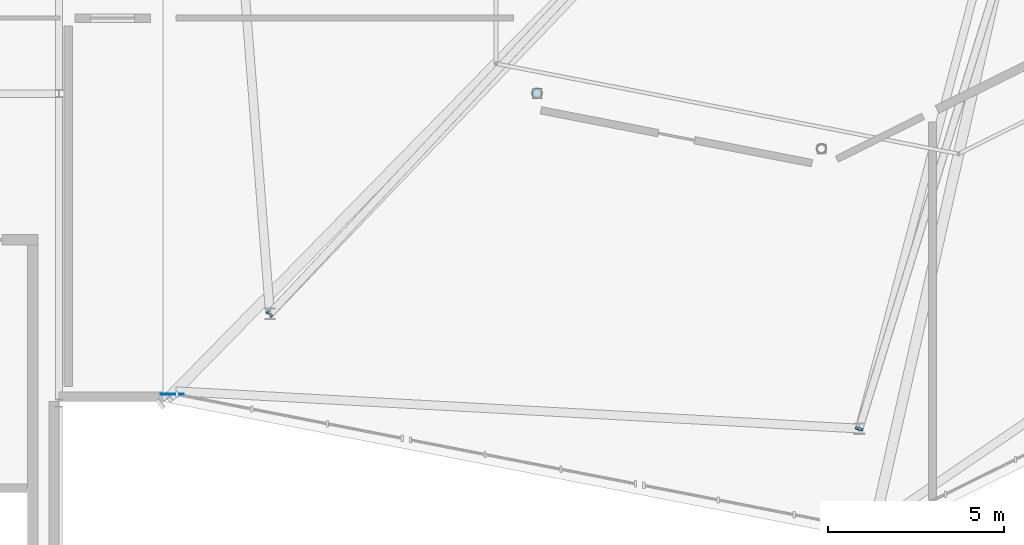
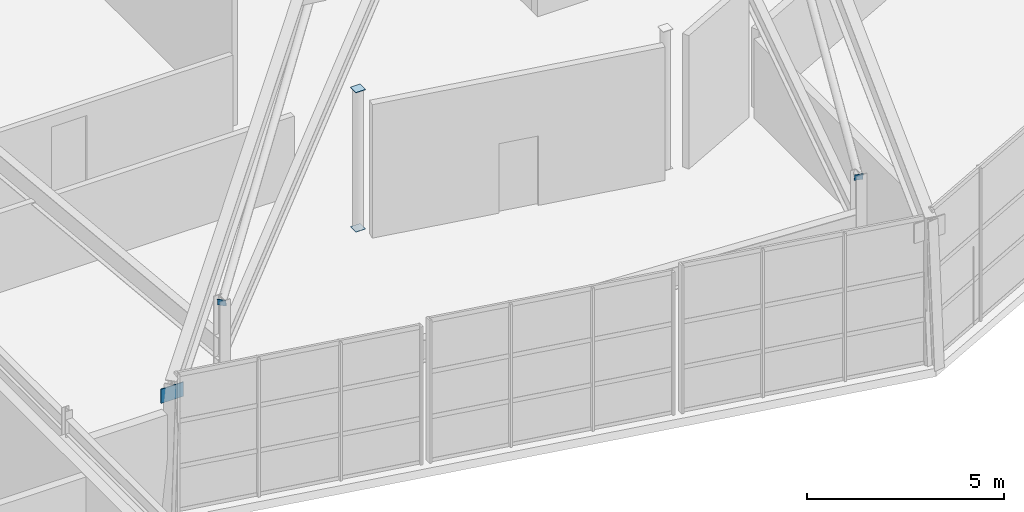
# One storey, part 29 of 50: 5 plates.
"""IFC4 building model written with IfcOpenShell, lengths in metres."""

from ifc_helpers import new_model, si_unit, direction, frame, origin, origin_2d, place, context, subcontext, project, spatial, rectangle, extrude, material, layer, layer_set, type_object, element, save


model = new_model("IFC4")

# Units and contexts
model_context = context("Model", 3, precision=1e-05, world=origin(), true_north=direction((0.0, 1.0)))
body_context = subcontext(model_context, "Body", "Model", "MODEL_VIEW")
ifc_project = project(units=[si_unit("LENGTHUNIT", "METRE"), si_unit("AREAUNIT", "SQUARE_METRE"), si_unit("VOLUMEUNIT", "CUBIC_METRE"), si_unit("PLANEANGLEUNIT", "RADIAN"), si_unit("MASSUNIT", "GRAM", prefix="KILO")], contexts=[model_context])

# Site, building, storey
site_placement = place(None, origin())
site = spatial("IfcSite", under=ifc_project, at=site_placement, CompositionType="ELEMENT")
building_placement = place(site_placement, origin())
building = spatial("IfcBuilding", under=site, at=building_placement, Name="Sarnbrook Museum", CompositionType="ELEMENT")
storey_placement = place(building_placement, frame((0.0, 0.0, 28.10009765625)))
storey = spatial("IfcBuildingStorey", under=building, at=storey_placement, Name="L05", CompositionType="ELEMENT", Elevation=28.10009765625)

# Plates
ifc_material = material(Name="Structural Steel Grade 350L0 (AS/NZS 3678, fy = 340 MPa for 20 < t <= 40 mm)", Category="steel")
ifc_layer_1 = layer(ifc_material, 0.01611328125)
ifc_layer_set_1 = layer_set([ifc_layer_1], Name="Structural Steel Grade 350L0 (AS/NZS 3678, fy = 340 MPa for 20 < t <= 40 mm)")
plate_type_1 = type_object("IfcPlateType", Name="EndCapPlate_CAP219", PredefinedType="USERDEFINED", material=ifc_layer_set_1)
for number, where, z_axis, x_axis, name in (
    (1, (125.189453125, 68.132080078125, 4.14599609375), (0.659510304637, 0.706904083733, 0.255602766964), (-0.731192929893, 0.6821707259, 0.0), "Hollow End Cap Plate CRTR:WEB:1-1"),
    (2, (141.95166015625, 64.86279296875, 4.14501953125), (0.280308297332, 0.908303162297, 0.310503822533), (-0.955533128625, 0.294883773884, 0.0), "Hollow End Cap Plate CRTR:WEB:2-1"),
):
    element("IfcPlate", number, at=place(storey_placement, frame(where, z_axis=z_axis, x_axis=x_axis)), inside=storey, type_object=plate_type_1, Name=name, ObjectType="END CAP PLATE", PredefinedType="USERDEFINED", context=body_context, shape_type="SweptSolid", body=[
        extrude(rectangle(XDim=0.22509765625, YDim=0.22509765625, at=origin_2d()), origin(), (0.0, 0.0, 1.0), 0.01611328125),
    ])
ifc_layer_2 = layer(ifc_material, 0.01611328125)
ifc_layer_set_2 = layer_set([ifc_layer_2], Name="Structural Steel Grade 350L0 (AS/NZS 3678, fy = 340 MPa for 20 < t <= 40 mm)")
plate_type_2 = type_object("IfcPlateType", Name="EndCapPlate_CAP273", PredefinedType="USERDEFINED", material=ifc_layer_set_2)
for number, where, z_axis, x_axis, name in (
    (3, (132.800048828125, 74.405029296875, -0.01611328125), (0.0, 0.0, 1.0), (1.0, 0.0, 0.0), "Hollow End Cap Plate COL:L05:V1R2-0-1"),
    (4, (132.800048828125, 74.405029296875, 4.2998046875), (0.0, 0.0, 1.0), (1.0, 0.0, 0.0), "Hollow End Cap Plate COL:L05:V1R2-0-2"),
):
    element("IfcPlate", number, at=place(storey_placement, frame(where, z_axis=z_axis, x_axis=x_axis)), inside=storey, type_object=plate_type_2, Name=name, ObjectType="END CAP PLATE", PredefinedType="USERDEFINED", context=body_context, shape_type="SweptSolid", body=[
        extrude(rectangle(XDim=0.280029296875, YDim=0.280029296875, at=origin_2d()), origin(), (0.0, 0.0, 1.0), 0.01611328125),
    ])
ifc_layer_3 = layer(ifc_material, 0.028076171875)
ifc_layer_set_3 = layer_set([ifc_layer_3], Name="Structural Steel Grade 350L0 (AS/NZS 3678, fy = 340 MPa for 20 < t <= 40 mm)")
plate_type_3 = type_object("IfcPlateType", Name="GussetPlate_KN5", PredefinedType="USERDEFINED", material=ifc_layer_set_3)
plate_placement = place(storey_placement, frame((122.4189453125, 65.85205078125, 3.5), z_axis=(0.0, 0.0, 1.0), x_axis=(1.0, 0.0, 0.0)))
element("IfcPlate", 5, at=plate_placement, inside=storey, type_object=plate_type_3, Name="Crystal Roof Eaves Node Plate KN5-1", ObjectType="GUSSET PLATE", PredefinedType="USERDEFINED", context=body_context, shape_type="SweptSolid", body=[
    extrude(rectangle(XDim=0.659912109375, YDim=0.028076171875, at=origin_2d()), origin(), (0.0, 0.0, 1.0), 0.43994140625),
])

save(model, "model.ifc")
